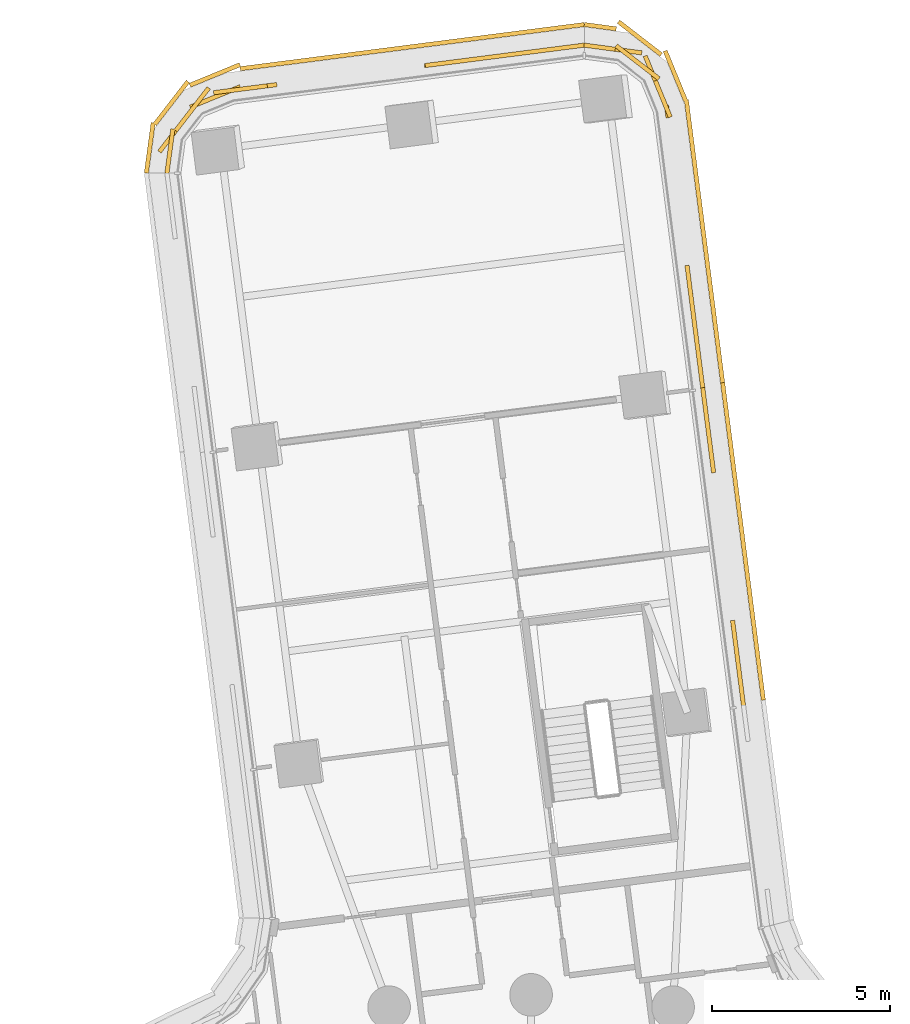
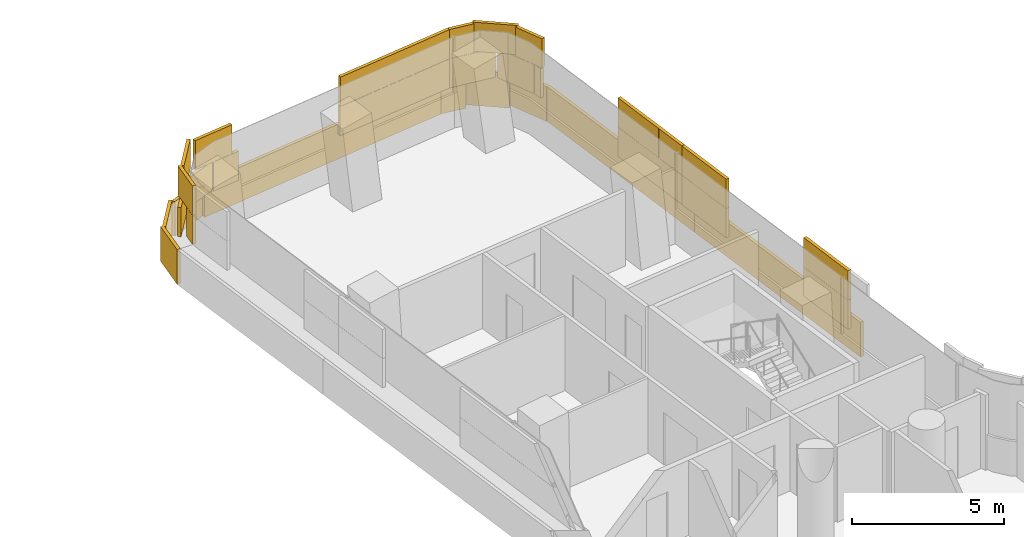
# One storey, part 31 of 31: 3 coverings.
"""IFC4 building model written with IfcOpenShell, lengths in metres."""

import ifcopenshell
import ifcopenshell.guid

model = None  # the IFC model being written
_history = None  # IfcOwnerHistory: only IFC2X3 demands one
_inside = {}  # id of a spatial element -> (the spatial element, [elements in it])
_under = {}  # id of a project, library or spatial element -> (it, [spatial elements below it])
_declared = {}  # id of a project -> (the project, [libraries it declares])
_typed = {}  # id of a type object -> (the type object, [elements of that type])
_made_of = {}  # id of a material, layer set ... -> (it, [elements and type objects made of it])


def new_model(schema):
    """Start an empty IFC model of exactly this schema.

    Asked for "IFC4X3", IfcOpenShell would pick the latest addendum, in which some entities
    have other attributes; the version numbers below select the first issue.
    IFC2X3 requires an IfcOwnerHistory on every rooted entity: one is made here for all.
    """
    global model, _history
    if schema == "IFC4X3":
        model = ifcopenshell.file(schema_version=(4, 3, 0, 0))
    else:
        model = ifcopenshell.file(schema=schema)
    _inside.clear()
    _under.clear()
    _declared.clear()
    _typed.clear()
    _made_of.clear()
    _history = None
    if model.schema == "IFC2X3":
        org = make("IfcOrganization", Name="unknown")
        user = make(
            "IfcPersonAndOrganization",
            ThePerson=make("IfcPerson", FamilyName="unknown"),
            TheOrganization=org,
        )
        app = make(
            "IfcApplication",
            ApplicationDeveloper=org,
            Version="unknown",
            ApplicationFullName="unknown",
            ApplicationIdentifier="unknown",
        )
        _history = make(
            "IfcOwnerHistory",
            OwningUser=user,
            OwningApplication=app,
            ChangeAction="ADDED",
            CreationDate=0,
        )
    return model


def make(cls, **values):
    """One entity of the class cls with the attributes given. An attribute that is None is left unset."""
    return model.create_entity(
        cls, **{name: value for name, value in values.items() if value is not None}
    )


def rooted(cls, **values):
    """An entity with a GlobalId (a new one), such as an element, a storey or a relation."""
    return make(cls, GlobalId=ifcopenshell.guid.new(), OwnerHistory=_history, **values)


def si_unit(unit_type, name, prefix=None):
    """IfcSIUnit, for example si_unit("LENGTHUNIT", "METRE", prefix="MILLI")."""
    return make("IfcSIUnit", UnitType=unit_type, Prefix=prefix, Name=name)


def assignment(units):
    """IfcUnitAssignment: the units of a project."""
    return None if units is None else make("IfcUnitAssignment", Units=units)


def point(xyz):
    """IfcCartesianPoint."""
    return None if xyz is None else make("IfcCartesianPoint", Coordinates=xyz)


def direction(xyz):
    """IfcDirection."""
    return None if xyz is None else make("IfcDirection", DirectionRatios=xyz)


def frame(location, z_axis=None, x_axis=None):
    """IfcAxis2Placement3D, a coordinate frame: its origin and axes. An axis left out is left unset."""
    return make(
        "IfcAxis2Placement3D",
        Location=point(location),
        Axis=direction(z_axis),
        RefDirection=direction(x_axis),
    )


def frame_2d(location, x_axis=None):
    """IfcAxis2Placement2D, a coordinate frame in the plane: its origin and x axis."""
    return make(
        "IfcAxis2Placement2D", Location=point(location), RefDirection=direction(x_axis)
    )


def origin():
    """The frame at (0, 0, 0) with its axes left unset."""
    return frame((0.0, 0.0, 0.0))


def origin_2d():
    """The frame at (0, 0) in the plane with its x axis left unset."""
    return frame_2d((0.0, 0.0))


def place(relative_to, where):
    """IfcLocalPlacement: puts the frame where relative to a parent placement (None: the world)."""
    return make(
        "IfcLocalPlacement", PlacementRelTo=relative_to, RelativePlacement=where
    )


def context(
    kind, dimensions, precision=None, world=None, true_north=None, identifier=None
):
    """IfcGeometricRepresentationContext, for example the 3D "Model" context."""
    return make(
        "IfcGeometricRepresentationContext",
        ContextIdentifier=identifier,
        ContextType=kind,
        CoordinateSpaceDimension=dimensions,
        Precision=precision,
        WorldCoordinateSystem=world,
        TrueNorth=true_north,
    )


def subcontext(parent, identifier, kind, view, scale=None):
    """IfcGeometricRepresentationSubContext, for example "Body" below "Model"."""
    return make(
        "IfcGeometricRepresentationSubContext",
        ContextIdentifier=identifier,
        ContextType=kind,
        ParentContext=parent,
        TargetScale=scale,
        TargetView=view,
    )


def project(units=None, contexts=None):
    """IfcProject with its units and contexts."""
    return rooted(
        "IfcProject",
        Name="project",
        RepresentationContexts=contexts,
        UnitsInContext=assignment(units),
    )


def spatial(cls, under=None, at=None, **own):
    """A site, building, storey or space (cls), placed at a placement, below another one or the project."""
    s = rooted(cls, ObjectPlacement=at, **own)
    if under is not None:
        _under.setdefault(under.id(), (under, []))[1].append(s)
    return s


def profile(cls, at=None, kind="AREA", **sizes):
    """A parametric profile (cls). Its sizes go by their IFC names, for example OverallWidth=200.0."""
    return make(cls, ProfileType=kind, Position=at, **sizes)


def rectangle(**sizes):
    """IfcRectangleProfileDef."""
    return profile("IfcRectangleProfileDef", **sizes)


def extrude(swept, where, along, depth):
    """IfcExtrudedAreaSolid: the profile swept, set in the frame where, extruded along a direction by depth."""
    return make(
        "IfcExtrudedAreaSolid",
        SweptArea=swept,
        Position=where,
        ExtrudedDirection=direction(along),
        Depth=depth,
    )


def shape(context_of_items, identifier, shape_type, items):
    """IfcShapeRepresentation: the items that make up one representation, for example the "Body"."""
    return make(
        "IfcShapeRepresentation",
        ContextOfItems=context_of_items,
        RepresentationIdentifier=identifier,
        RepresentationType=shape_type,
        Items=items,
    )


def material(Name=None, Category=None):
    """IfcMaterial."""
    return make("IfcMaterial", Name=Name, Category=Category)


def layer(
    of_material, thickness, ventilated=None, Name=None, Category=None, Priority=None
):
    """IfcMaterialLayer: one layer of a wall or slab, of a material (None: an air gap)."""
    return make(
        "IfcMaterialLayer",
        Material=of_material,
        LayerThickness=thickness,
        IsVentilated=ventilated,
        Name=Name,
        Category=Category,
        Priority=Priority,
    )


def layer_set(layers, Name=None):
    """IfcMaterialLayerSet."""
    return make("IfcMaterialLayerSet", MaterialLayers=layers, LayerSetName=Name)


def made_of(thing, what):
    """Note that an element or type object is made of a material, layer set ...; save() writes the relation."""
    if what is not None:
        _made_of.setdefault(what.id(), (what, []))[1].append(thing)
    return thing


def type_object(cls, material=None, **own):
    """A type object (cls), such as IfcWallType, which elements share."""
    return made_of(rooted(cls, **own), material)


def element(
    cls,
    number,
    at=None,
    inside=None,
    cuts=None,
    type_object=None,
    material=None,
    context=None,
    identifier="Body",
    shape_type=None,
    held_by="IfcProductDefinitionShape",
    body=None,
    shapes=None,
    **own,
):
    """One element of the class cls, such as IfcWall. Its Tag is "e" and its number.

    at: its placement. inside: the storey or other place that contains it. cuts: it is an
    opening in that element (IfcRelVoidsElement). A single representation is given by context,
    identifier, shape_type and body (its items); several are given by shapes. held_by: the class
    of the entity that holds the representations. save() writes the other relations.
    """
    e = rooted(cls, Tag="e%d" % number, ObjectPlacement=at, **own)
    if body is not None:
        shapes = [shape(context, identifier, shape_type, body)]
    if shapes is not None:
        e.Representation = make(held_by, Representations=shapes)
    if inside is not None:
        _inside.setdefault(inside.id(), (inside, []))[1].append(e)
    if cuts is not None:
        rooted(
            "IfcRelVoidsElement", RelatingBuildingElement=cuts, RelatedOpeningElement=e
        )
    if type_object is not None:
        _typed.setdefault(type_object.id(), (type_object, []))[1].append(e)
    return made_of(e, material)


def aggregate(whole, parts):
    """IfcRelAggregates: a whole, such as a stair, and the parts it consists of."""
    return rooted("IfcRelAggregates", RelatingObject=whole, RelatedObjects=parts)


def save(model, path):
    """Write the relations noted so far, then the file.

    IfcRelAggregates (storeys below a building ...), IfcRelContainedInSpatialStructure (elements
    in a storey), IfcRelDefinesByType, IfcRelAssociatesMaterial and IfcRelDeclares: one each for
    every whole, place, type object, material and project.
    """
    for whole, parts in _under.values():
        aggregate(whole, parts)
    for where, things in _inside.values():
        rooted(
            "IfcRelContainedInSpatialStructure",
            RelatedElements=things,
            RelatingStructure=where,
        )
    for kind, things in _typed.values():
        rooted("IfcRelDefinesByType", RelatedObjects=things, RelatingType=kind)
    for what, things in _made_of.values():
        rooted("IfcRelAssociatesMaterial", RelatedObjects=things, RelatingMaterial=what)
    for by, libraries in _declared.values():
        rooted("IfcRelDeclares", RelatingContext=by, RelatedDefinitions=libraries)
    model.write(path)


model = new_model("IFC4")

# Units and contexts
model_context = context("Model", 3, precision=1e-05, world=origin(), true_north=direction((0.0, 1.0)))
body_context = subcontext(model_context, "Body", "Model", "MODEL_VIEW")
ifc_project = project(units=[si_unit("LENGTHUNIT", "METRE"), si_unit("AREAUNIT", "SQUARE_METRE"), si_unit("VOLUMEUNIT", "CUBIC_METRE"), si_unit("PLANEANGLEUNIT", "RADIAN"), si_unit("MASSUNIT", "GRAM", prefix="KILO")], contexts=[model_context])

# Site, building, storey
site_placement = place(None, origin())
site = spatial("IfcSite", under=ifc_project, at=site_placement, CompositionType="ELEMENT")
building_placement = place(site_placement, origin())
building = spatial("IfcBuilding", under=site, at=building_placement, Name="Tamarind Cross Interchange Tower", CompositionType="ELEMENT")
storey_placement = place(building_placement, frame((0.0, 0.0, 60.25)))
storey = spatial("IfcBuildingStorey", under=building, at=storey_placement, Name="L13", CompositionType="ELEMENT", Elevation=60.25)

# Coverings
ifc_material = material(Name="Terracotta", Category="masonry")
ifc_layer = layer(ifc_material, 0.1201171875)
ifc_layer_set = layer_set([ifc_layer], Name="Terracotta")
covering_type = type_object("IfcCoveringType", Name="Terracotta baguette screen unit", PredefinedType="MOLDING", material=ifc_layer_set)
covering_1_placement = place(storey_placement, origin())
element("IfcCovering", 1, at=covering_1_placement, inside=storey, type_object=covering_type, Name="SCR-L13-11-01", PredefinedType="MOLDING", context=body_context, shape_type="SweptSolid", body=[
    extrude(rectangle(XDim=0.522705078125, YDim=0.1201171875, at=origin_2d()), frame((5.941650390625, 31.400390625, 1.404052734375), z_axis=(0.0, 0.0, 1.0), x_axis=(-0.127300045824, 0.991864253985, 0.0)), (0.0, 0.0, 1.0), 1.1669921875),
    extrude(rectangle(XDim=1.52001953125, YDim=0.1201171875, at=origin_2d()), frame((5.8134765625, 32.398681640625, 1.404052734375), z_axis=(0.0, 0.0, 1.0), x_axis=(-0.127300045824, 0.991864253985, 0.0)), (0.0, 0.0, 1.0), 1.1669921875),
    extrude(rectangle(XDim=0.3974609375, YDim=0.1201171875, at=origin_2d()), frame((5.693359375, 33.334716796875, 1.404052734375), z_axis=(0.0, 0.0, 1.0), x_axis=(-0.127300045824, 0.991864253985, 0.0)), (0.0, 0.0, 1.0), 1.1669921875),
    extrude(rectangle(XDim=1.422607421875, YDim=0.1201171875, at=origin_2d()), frame((5.044189453125, 38.393310546875, 1.404052734375), z_axis=(0.0, 0.0, 1.0), x_axis=(-0.127300045824, 0.991864253985, 0.0)), (0.0, 0.0, 1.0), 1.1669921875),
    extrude(rectangle(XDim=0.99755859375, YDim=0.1201171875, at=origin_2d()), frame((4.891357421875, 39.58349609375, 1.404052734375), z_axis=(0.0, 0.0, 1.0), x_axis=(-0.127300045824, 0.991864253985, 0.0)), (0.0, 0.0, 1.0), 1.1669921875),
    extrude(rectangle(XDim=1.272705078125, YDim=0.1201171875, at=origin_2d()), frame((5.89404296875, 31.7724609375, 2.5791015625), z_axis=(0.0, 0.0, 1.0), x_axis=(-0.127300045824, 0.991864253985, 0.0)), (0.0, 0.0, 1.0), 1.1669921875),
    extrude(rectangle(XDim=1.1474609375, YDim=0.1201171875, at=origin_2d()), frame((5.7412109375, 32.962646484375, 2.5791015625), z_axis=(0.0, 0.0, 1.0), x_axis=(-0.127300045824, 0.991864253985, 0.0)), (0.0, 0.0, 1.0), 1.1669921875),
    extrude(rectangle(XDim=0.672607421875, YDim=0.1201171875, at=origin_2d()), frame((5.092041015625, 38.021240234375, 2.5791015625), z_axis=(0.0, 0.0, 1.0), x_axis=(-0.127300045824, 0.991864253985, 0.0)), (0.0, 0.0, 1.0), 1.1669921875),
    extrude(rectangle(XDim=1.52001953125, YDim=0.1201171875, at=origin_2d()), frame((4.954345703125, 39.09375, 2.5791015625), z_axis=(0.0, 0.0, 1.0), x_axis=(-0.127300045824, 0.991864253985, 0.0)), (0.0, 0.0, 1.0), 1.1669921875),
    extrude(rectangle(XDim=0.24755859375, YDim=0.1201171875, at=origin_2d()), frame((4.84375, 39.95556640625, 2.5791015625), z_axis=(0.0, 0.0, 1.0), x_axis=(-0.127300045824, 0.991864253985, 0.0)), (0.0, 0.0, 1.0), 1.1669921875),
    extrude(rectangle(XDim=0.521240234375, YDim=0.1201171875, at=origin_2d()), frame((6.501220703125, 31.548828125, 0.00390625), z_axis=(0.0, 0.0, 1.0), x_axis=(-0.127300045824, 0.991864253985, 0.0)), (0.0, 0.0, 1.0), 1.39208984375),
    extrude(rectangle(XDim=1.52001953125, YDim=0.1201171875, at=origin_2d()), frame((6.3740234375, 32.541259765625, 0.00390625), z_axis=(0.0, 0.0, 1.0), x_axis=(-0.127300045824, 0.991864253985, 0.0)), (0.0, 0.0, 1.0), 1.39208984375),
    extrude(rectangle(XDim=1.52001953125, YDim=0.1201171875, at=origin_2d()), frame((6.18310546875, 34.029052734375, 0.00390625), z_axis=(0.0, 0.0, 1.0), x_axis=(-0.127300045824, 0.991864253985, 0.0)), (0.0, 0.0, 1.0), 1.39208984375),
    extrude(rectangle(XDim=1.52001953125, YDim=0.1201171875, at=origin_2d()), frame((5.991943359375, 35.516845703125, 0.00390625), z_axis=(0.0, 0.0, 1.0), x_axis=(-0.127300045824, 0.991864253985, 0.0)), (0.0, 0.0, 1.0), 1.39208984375),
    extrude(rectangle(XDim=1.52001953125, YDim=0.1201171875, at=origin_2d()), frame((5.801025390625, 37.004638671875, 0.00390625), z_axis=(0.0, 0.0, 1.0), x_axis=(-0.127300045824, 0.991864253985, 0.0)), (0.0, 0.0, 1.0), 1.39208984375),
    extrude(rectangle(XDim=1.52001953125, YDim=0.1201171875, at=origin_2d()), frame((5.610107421875, 38.492431640625, 0.00390625), z_axis=(0.0, 0.0, 1.0), x_axis=(-0.127300045824, 0.991864253985, 0.0)), (0.0, 0.0, 1.0), 1.39208984375),
    extrude(rectangle(XDim=1.001220703125, YDim=0.1201171875, at=origin_2d()), frame((5.4521484375, 39.722900390625, 0.00390625), z_axis=(0.0, 0.0, 1.0), x_axis=(-0.127300045824, 0.991864253985, 0.0)), (0.0, 0.0, 1.0), 1.39208984375),
])
covering_2_placement = place(storey_placement, origin())
element("IfcCovering", 2, at=covering_2_placement, inside=storey, type_object=covering_type, Name="SCR-L13-11-02", PredefinedType="MOLDING", context=body_context, shape_type="SweptSolid", body=[
    extrude(rectangle(XDim=0.5224609375, YDim=0.1201171875, at=origin_2d()), frame((4.7958984375, 40.327392578125, 1.404052734375), z_axis=(0.0, 0.0, 1.0), x_axis=(-0.127300045824, 0.991864253985, 0.0)), (0.0, 0.0, 1.0), 1.1669921875),
    extrude(rectangle(XDim=1.52001953125, YDim=0.1201171875, at=origin_2d()), frame((4.66796875, 41.325439453125, 1.404052734375), z_axis=(0.0, 0.0, 1.0), x_axis=(-0.127300045824, 0.991864253985, 0.0)), (0.0, 0.0, 1.0), 1.1669921875),
    extrude(rectangle(XDim=1.46533203125, YDim=0.1201171875, at=origin_2d()), frame((4.479736328125, 42.791015625, 1.404052734375), z_axis=(0.0, 0.0, 1.0), x_axis=(-0.127300045824, 0.991864253985, 0.0)), (0.0, 0.0, 1.0), 1.1669921875),
    extrude(rectangle(XDim=0.354736328125, YDim=0.1201171875, at=origin_2d()), frame((3.83056640625, 47.849609375, 1.404052734375), z_axis=(0.0, 0.0, 1.0), x_axis=(-0.127300045824, 0.991864253985, 0.0)), (0.0, 0.0, 1.0), 1.1669921875),
    extrude(rectangle(XDim=1.52001953125, YDim=0.1201171875, at=origin_2d()), frame((3.497802734375, 48.70751953125, 1.404052734375), z_axis=(0.0, 0.0, 1.0), x_axis=(-0.379675761037, 0.925119622795, 0.0)), (0.0, 0.0, 1.0), 1.1669921875),
    extrude(rectangle(XDim=1.52001953125, YDim=0.1201171875, at=origin_2d()), frame((2.36083984375, 49.59814453125, 1.404052734375), z_axis=(0.0, 0.0, 1.0), x_axis=(-0.991014975399, 0.133750957139, 0.0)), (0.0, 0.0, 1.0), 1.1669921875),
    extrude(rectangle(XDim=0.1328125, YDim=0.1201171875, at=origin_2d()), frame((1.556884765625, 49.706787109375, 1.404052734375), z_axis=(0.0, 0.0, 1.0), x_axis=(-0.991014975399, 0.133750957139, 0.0)), (0.0, 0.0, 1.0), 1.1669921875),
    extrude(rectangle(XDim=1.2724609375, YDim=0.1201171875, at=origin_2d()), frame((4.748291015625, 40.699462890625, 2.5791015625), z_axis=(0.0, 0.0, 1.0), x_axis=(-0.127300045824, 0.991864253985, 0.0)), (0.0, 0.0, 1.0), 1.1669921875),
    extrude(rectangle(XDim=1.52001953125, YDim=0.1201171875, at=origin_2d()), frame((4.572265625, 42.0693359375, 2.5791015625), z_axis=(0.0, 0.0, 1.0), x_axis=(-0.127300045824, 0.991864253985, 0.0)), (0.0, 0.0, 1.0), 1.1669921875),
    extrude(rectangle(XDim=0.71533203125, YDim=0.1201171875, at=origin_2d()), frame((4.43212890625, 43.1630859375, 2.5791015625), z_axis=(0.0, 0.0, 1.0), x_axis=(-0.127300045824, 0.991864253985, 0.0)), (0.0, 0.0, 1.0), 1.1669921875),
    extrude(rectangle(XDim=1.104736328125, YDim=0.1201171875, at=origin_2d()), frame((3.70556640625, 48.201171875, 2.5791015625), z_axis=(0.0, 0.0, 1.0), x_axis=(-0.379675761037, 0.925119622795, 0.0)), (0.0, 0.0, 1.0), 1.1669921875),
    extrude(rectangle(XDim=1.52001953125, YDim=0.1201171875, at=origin_2d()), frame((2.994140625, 49.234375, 2.5791015625), z_axis=(0.0, 0.0, 1.0), x_axis=(-0.791368665657, 0.611339214362, 0.0)), (0.0, 0.0, 1.0), 1.1669921875),
    extrude(rectangle(XDim=0.8828125, YDim=0.1201171875, at=origin_2d()), frame((1.928466796875, 49.656494140625, 2.5791015625), z_axis=(0.0, 0.0, 1.0), x_axis=(-0.991014975399, 0.133750957139, 0.0)), (0.0, 0.0, 1.0), 1.1669921875),
    extrude(rectangle(XDim=0.518798828125, YDim=0.1201171875, at=origin_2d()), frame((5.35546875, 40.476806640625, 0.00390625), z_axis=(0.0, 0.0, 1.0), x_axis=(-0.127300045824, 0.991864253985, 0.0)), (0.0, 0.0, 1.0), 1.39208984375),
    extrude(rectangle(XDim=1.52001953125, YDim=0.1201171875, at=origin_2d()), frame((5.228271484375, 41.468017578125, 0.00390625), z_axis=(0.0, 0.0, 1.0), x_axis=(-0.127300045824, 0.991864253985, 0.0)), (0.0, 0.0, 1.0), 1.39208984375),
    extrude(rectangle(XDim=1.52001953125, YDim=0.1201171875, at=origin_2d()), frame((5.037353515625, 42.955810546875, 0.00390625), z_axis=(0.0, 0.0, 1.0), x_axis=(-0.127300045824, 0.991864253985, 0.0)), (0.0, 0.0, 1.0), 1.39208984375),
    extrude(rectangle(XDim=1.52001953125, YDim=0.1201171875, at=origin_2d()), frame((4.846435546875, 44.443603515625, 0.00390625), z_axis=(0.0, 0.0, 1.0), x_axis=(-0.127300045824, 0.991864253985, 0.0)), (0.0, 0.0, 1.0), 1.39208984375),
    extrude(rectangle(XDim=1.52001953125, YDim=0.1201171875, at=origin_2d()), frame((4.6552734375, 45.931396484375, 0.00390625), z_axis=(0.0, 0.0, 1.0), x_axis=(-0.127300045824, 0.991864253985, 0.0)), (0.0, 0.0, 1.0), 1.39208984375),
    extrude(rectangle(XDim=1.52001953125, YDim=0.1201171875, at=origin_2d()), frame((4.46435546875, 47.419189453125, 0.00390625), z_axis=(0.0, 0.0, 1.0), x_axis=(-0.127300045824, 0.991864253985, 0.0)), (0.0, 0.0, 1.0), 1.39208984375),
    extrude(rectangle(XDim=1.52001953125, YDim=0.1201171875, at=origin_2d()), frame((4.0595703125, 48.8505859375, 0.00390625), z_axis=(0.0, 0.0, 1.0), x_axis=(-0.379675761037, 0.925119622795, 0.0)), (0.0, 0.0, 1.0), 1.39208984375),
    extrude(rectangle(XDim=1.52001953125, YDim=0.1201171875, at=origin_2d()), frame((3.05908203125, 49.90966796875, 0.00390625), z_axis=(0.0, 0.0, 1.0), x_axis=(-0.791368665657, 0.611339214362, 0.0)), (0.0, 0.0, 1.0), 1.39208984375),
    extrude(rectangle(XDim=0.904541015625, YDim=0.1201171875, at=origin_2d()), frame((1.946044921875, 50.2333984375, 0.00390625), z_axis=(0.0, 0.0, 1.0), x_axis=(-0.991014975399, 0.133750957139, 0.0)), (0.0, 0.0, 1.0), 1.39208984375),
])
covering_3_placement = place(storey_placement, origin())
element("IfcCovering", 3, at=covering_3_placement, inside=storey, type_object=covering_type, Name="SCR-L13-12-00", PredefinedType="MOLDING", context=body_context, shape_type="SweptSolid", body=[
    extrude(rectangle(XDim=0.760009765625, YDim=0.1201171875, at=origin_2d()), frame((1.1240234375, 49.667236328125, 1.404052734375), z_axis=(0.0, 0.0, 1.0), x_axis=(-0.991864253985, -0.127300045824, 0.0)), (0.0, 0.0, 1.0), 1.1669921875),
    extrude(rectangle(XDim=1.52001953125, YDim=0.1201171875, at=origin_2d()), frame((0.008056640625, 49.52392578125, 1.404052734375), z_axis=(0.0, 0.0, 1.0), x_axis=(-0.991864253985, -0.127300045824, 0.0)), (0.0, 0.0, 1.0), 1.1669921875),
    extrude(rectangle(XDim=1.52001953125, YDim=0.1201171875, at=origin_2d()), frame((-1.479736328125, 49.3330078125, 1.404052734375), z_axis=(0.0, 0.0, 1.0), x_axis=(-0.991864253985, -0.127300045824, 0.0)), (0.0, 0.0, 1.0), 1.1669921875),
    extrude(rectangle(XDim=0.784912109375, YDim=0.1201171875, at=origin_2d()), frame((-2.60791015625, 49.188232421875, 1.404052734375), z_axis=(0.0, 0.0, 1.0), x_axis=(-0.991864253985, -0.127300045824, 0.0)), (0.0, 0.0, 1.0), 1.1669921875),
    extrude(rectangle(XDim=1.03515625, YDim=0.1201171875, at=origin_2d()), frame((-7.666259765625, 48.5390625, 1.404052734375), z_axis=(0.0, 0.0, 1.0), x_axis=(-0.991864253985, -0.127300045824, 0.0)), (0.0, 0.0, 1.0), 1.1669921875),
    extrude(rectangle(XDim=1.52001953125, YDim=0.1201171875, at=origin_2d()), frame((-8.886962890625, 48.258056640625, 1.404052734375), z_axis=(0.0, 0.0, 1.0), x_axis=(-0.925119622795, -0.379675761037, 0.0)), (0.0, 0.0, 1.0), 1.1669921875),
    extrude(rectangle(XDim=1.52001953125, YDim=0.1201171875, at=origin_2d()), frame((-9.990478515625, 47.31591796875, 1.404052734375), z_axis=(0.0, 0.0, 1.0), x_axis=(-0.611339214362, -0.791368665657, 0.0)), (0.0, 0.0, 1.0), 1.1669921875),
    extrude(rectangle(XDim=0.509521484375, YDim=0.1201171875, at=origin_2d()), frame((-10.20947265625, 46.36083984375, 1.404052734375), z_axis=(0.0, 0.0, 1.0), x_axis=(-0.133750957139, -0.991014975399, 0.0)), (0.0, 0.0, 1.0), 1.1669921875),
    extrude(rectangle(XDim=1.510009765625, YDim=0.1201171875, at=origin_2d()), frame((0.751953125, 49.619384765625, 2.5791015625), z_axis=(0.0, 0.0, 1.0), x_axis=(-0.991864253985, -0.127300045824, 0.0)), (0.0, 0.0, 1.0), 1.1669921875),
    extrude(rectangle(XDim=1.52001953125, YDim=0.1201171875, at=origin_2d()), frame((-0.73583984375, 49.428466796875, 2.5791015625), z_axis=(0.0, 0.0, 1.0), x_axis=(-0.991864253985, -0.127300045824, 0.0)), (0.0, 0.0, 1.0), 1.1669921875),
    extrude(rectangle(XDim=1.52001953125, YDim=0.1201171875, at=origin_2d()), frame((-2.2236328125, 49.237548828125, 2.5791015625), z_axis=(0.0, 0.0, 1.0), x_axis=(-0.991864253985, -0.127300045824, 0.0)), (0.0, 0.0, 1.0), 1.1669921875),
    extrude(rectangle(XDim=1.52001953125, YDim=0.1201171875, at=origin_2d()), frame((-8.1748046875, 48.473876953125, 2.5791015625), z_axis=(0.0, 0.0, 1.0), x_axis=(-0.991864253985, -0.127300045824, 0.0)), (0.0, 0.0, 1.0), 1.1669921875),
    extrude(rectangle(XDim=1.52001953125, YDim=0.1201171875, at=origin_2d()), frame((-9.531982421875, 47.909423828125, 2.5791015625), z_axis=(0.0, 0.0, 1.0), x_axis=(-0.611339214362, -0.791368665657, 0.0)), (0.0, 0.0, 1.0), 1.1669921875),
    extrude(rectangle(XDim=1.259521484375, YDim=0.1201171875, at=origin_2d()), frame((-10.159423828125, 46.732421875, 2.5791015625), z_axis=(0.0, 0.0, 1.0), x_axis=(-0.133750957139, -0.991014975399, 0.0)), (0.0, 0.0, 1.0), 1.1669921875),
    extrude(rectangle(XDim=0.760009765625, YDim=0.1201171875, at=origin_2d()), frame((1.120849609375, 50.24560546875, 0.00390625), z_axis=(0.0, 0.0, 1.0), x_axis=(-0.991864253985, -0.127300045824, 0.0)), (0.0, 0.0, 1.0), 1.39208984375),
    extrude(rectangle(XDim=1.52001953125, YDim=0.1201171875, at=origin_2d()), frame((0.010009765625, 50.10302734375, 0.00390625), z_axis=(0.0, 0.0, 1.0), x_axis=(-0.991864253985, -0.127300045824, 0.0)), (0.0, 0.0, 1.0), 1.39208984375),
    extrude(rectangle(XDim=1.52001953125, YDim=0.1201171875, at=origin_2d()), frame((-1.477783203125, 49.912109375, 0.00390625), z_axis=(0.0, 0.0, 1.0), x_axis=(-0.991864253985, -0.127300045824, 0.0)), (0.0, 0.0, 1.0), 1.39208984375),
    extrude(rectangle(XDim=1.52001953125, YDim=0.1201171875, at=origin_2d()), frame((-2.965576171875, 49.72119140625, 0.00390625), z_axis=(0.0, 0.0, 1.0), x_axis=(-0.991864253985, -0.127300045824, 0.0)), (0.0, 0.0, 1.0), 1.39208984375),
    extrude(rectangle(XDim=1.52001953125, YDim=0.1201171875, at=origin_2d()), frame((-4.453369140625, 49.530029296875, 0.00390625), z_axis=(0.0, 0.0, 1.0), x_axis=(-0.991864253985, -0.127300045824, 0.0)), (0.0, 0.0, 1.0), 1.39208984375),
    extrude(rectangle(XDim=1.52001953125, YDim=0.1201171875, at=origin_2d()), frame((-5.941162109375, 49.339111328125, 0.00390625), z_axis=(0.0, 0.0, 1.0), x_axis=(-0.991864253985, -0.127300045824, 0.0)), (0.0, 0.0, 1.0), 1.39208984375),
    extrude(rectangle(XDim=1.52001953125, YDim=0.1201171875, at=origin_2d()), frame((-7.428955078125, 49.148193359375, 0.00390625), z_axis=(0.0, 0.0, 1.0), x_axis=(-0.991864253985, -0.127300045824, 0.0)), (0.0, 0.0, 1.0), 1.39208984375),
    extrude(rectangle(XDim=1.52001953125, YDim=0.1201171875, at=origin_2d()), frame((-8.89501953125, 48.875244140625, 0.00390625), z_axis=(0.0, 0.0, 1.0), x_axis=(-0.925119622795, -0.379675761037, 0.0)), (0.0, 0.0, 1.0), 1.39208984375),
    extrude(rectangle(XDim=1.52001953125, YDim=0.1201171875, at=origin_2d()), frame((-10.1181640625, 48.08984375, 0.00390625), z_axis=(0.0, 0.0, 1.0), x_axis=(-0.611339214362, -0.791368665657, 0.0)), (0.0, 0.0, 1.0), 1.39208984375),
    extrude(rectangle(XDim=1.4267578125, YDim=0.1201171875, at=origin_2d()), frame((-10.726318359375, 46.822509765625, 0.00390625), z_axis=(0.0, 0.0, 1.0), x_axis=(-0.133750957139, -0.991014975399, 0.0)), (0.0, 0.0, 1.0), 1.39208984375),
])

save(model, "model.ifc")
